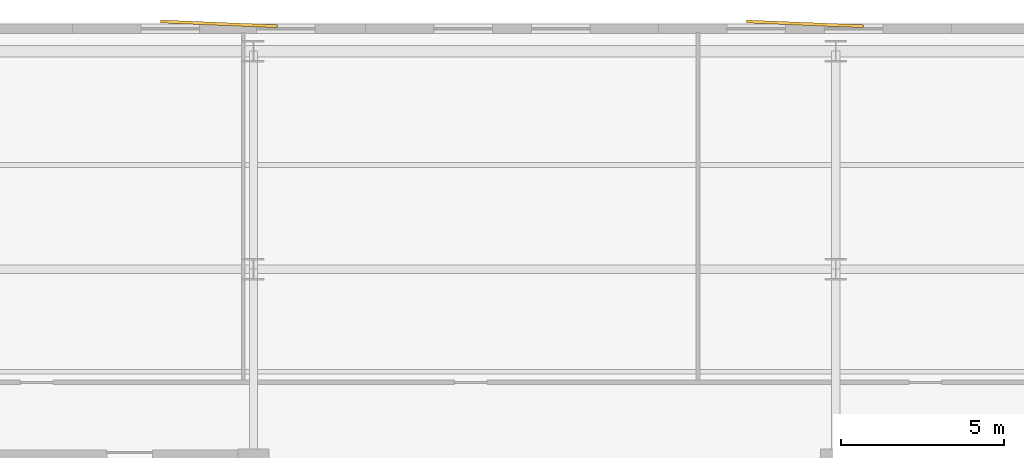
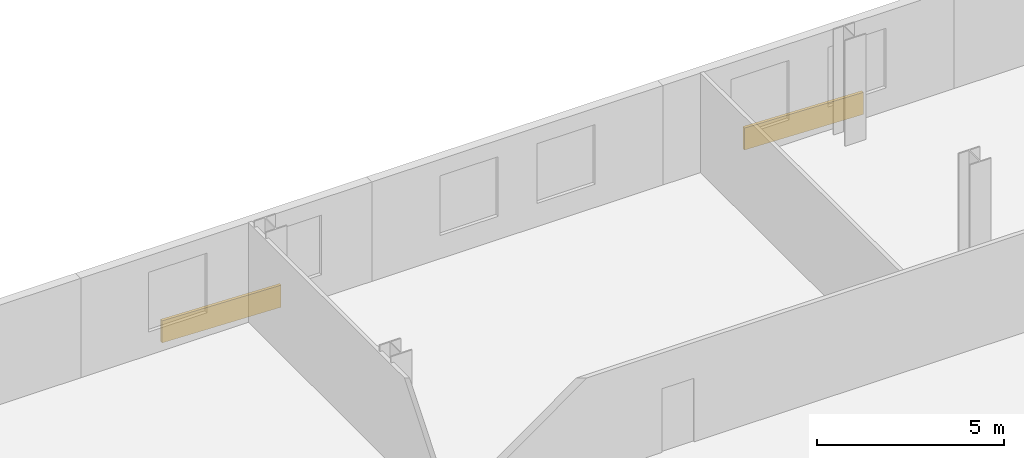
# One storey, part 9 of 9: 2 coverings.
"""IFC4 building model written with IfcOpenShell, lengths in metres."""

from ifc_helpers import new_model, si_unit, direction, frame, origin, origin_2d, place, context, subcontext, project, spatial, rectangle, extrude, material, layer, layer_set, type_object, element, save


model = new_model("IFC4")

# Units and contexts
model_context = context("Model", 3, precision=1e-05, world=origin(), true_north=direction((0.0, 1.0)))
body_context = subcontext(model_context, "Body", "Model", "MODEL_VIEW")
ifc_project = project(units=[si_unit("LENGTHUNIT", "METRE"), si_unit("AREAUNIT", "SQUARE_METRE"), si_unit("VOLUMEUNIT", "CUBIC_METRE"), si_unit("PLANEANGLEUNIT", "RADIAN"), si_unit("MASSUNIT", "GRAM", prefix="KILO")], contexts=[model_context])

# Site, building, storey
site_placement = place(None, origin())
site = spatial("IfcSite", under=ifc_project, at=site_placement, CompositionType="ELEMENT")
building_placement = place(site_placement, origin())
building = spatial("IfcBuilding", under=site, at=building_placement, Name="Velakula Bourse", CompositionType="ELEMENT")
storey_placement = place(building_placement, frame((0.0, 0.0, 131.199951171875)))
storey = spatial("IfcBuildingStorey", under=building, at=storey_placement, Name="L35", CompositionType="ELEMENT", Elevation=131.199951171875)

# Coverings
ifc_material = material(Name="Red kilned clay facing brick masonry", Category="masonry")
ifc_layer = layer(ifc_material, 0.090087890625, Name="Red kilned clay facing brick masonry", Category="masonry")
ifc_layer_set = layer_set([ifc_layer], Name="Red kilned clay facing brick masonry")
covering_type = type_object("IfcCoveringType", Name="COV-BRK-FOLD-90", PredefinedType="CLADDING", material=ifc_layer_set)
for number, where, z_axis, x_axis, name in (
    (1, (-10.0, 22.139892578125, 0.0), (0.0, 0.0, 1.0), (0.999158993058, -0.041003738744, 0.0), "L35 Folded Brick Facade Cladding Panel N-B2"),
    (2, (8.0, 22.139892578125, 0.0), (0.0, 0.0, 1.0), (0.999158993058, -0.041003738744, 0.0), "L35 Folded Brick Facade Cladding Panel N-B4"),
):
    element("IfcCovering", number, at=place(storey_placement, frame(where, z_axis=z_axis, x_axis=x_axis)), inside=storey, type_object=covering_type, Name=name, PredefinedType="CLADDING", context=body_context, shape_type="SweptSolid", body=[
        extrude(rectangle(XDim=3.60009765625, YDim=0.090087890625, at=origin_2d()), origin(), (0.0, 0.0, 1.0), 0.719970703125),
    ])

save(model, "model.ifc")
